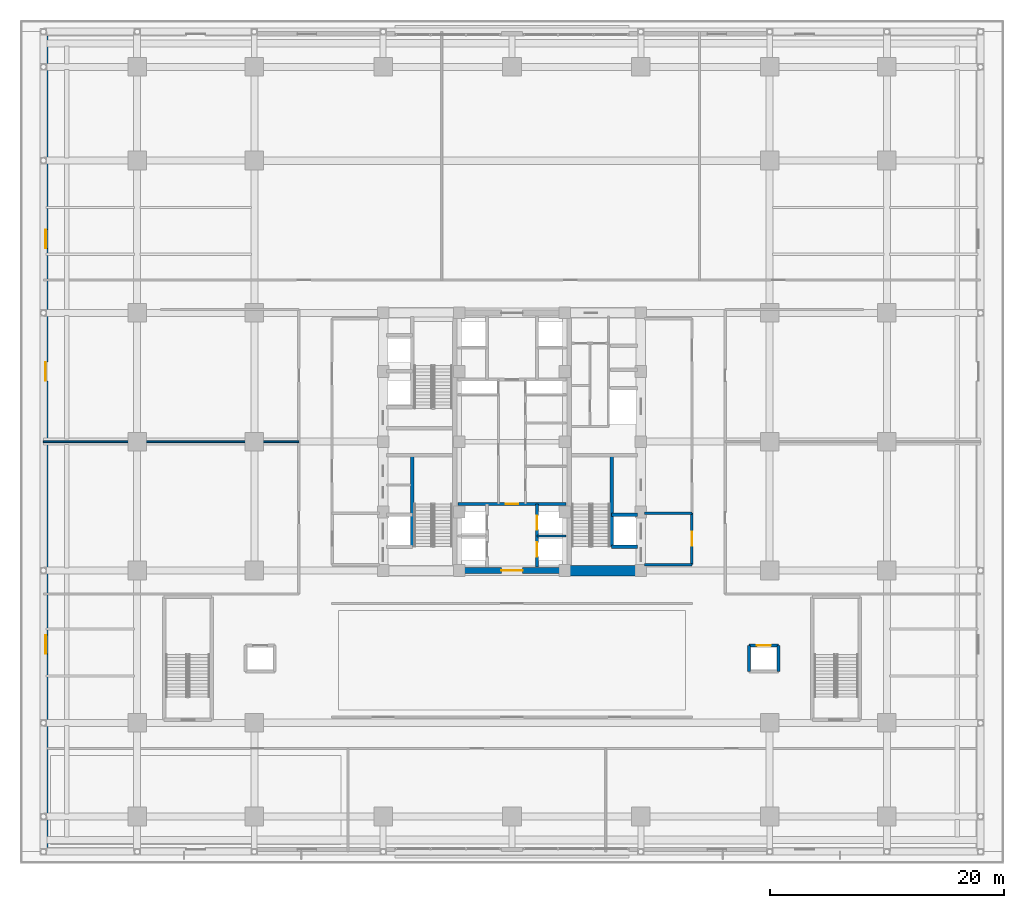
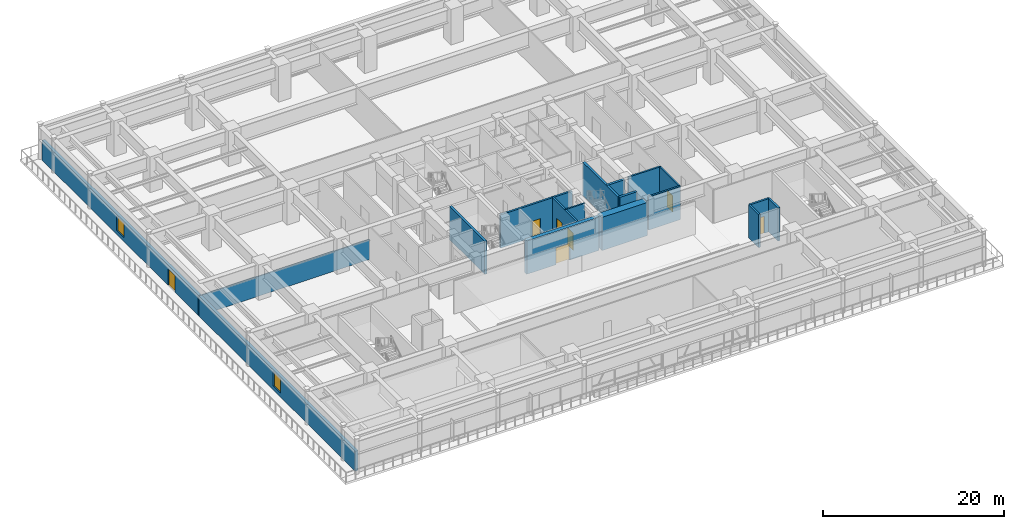
# One storey, part 26 of 38: 17 walls, 7 doors, 2 windows, 9 openings.
"""IFC4 building model written with IfcOpenShell, lengths in metres."""

from ifc_helpers import new_model, si_unit, direction, frame, frame_2d, origin, place, context, subcontext, project, spatial, rectangle, extrude, source, transform, mapped, material, layer, layer_set, type_object, element, fill, save


model = new_model("IFC4")

# Units and contexts
model_context = context("Model", 3, precision=1e-05, world=origin(), true_north=direction((0.0, 1.0)))
body_context = subcontext(model_context, "Body", "Model", "MODEL_VIEW")
ifc_project = project(units=[si_unit("LENGTHUNIT", "METRE"), si_unit("AREAUNIT", "SQUARE_METRE"), si_unit("VOLUMEUNIT", "CUBIC_METRE"), si_unit("PLANEANGLEUNIT", "RADIAN"), si_unit("MASSUNIT", "GRAM", prefix="KILO")], contexts=[model_context])

# Site, building, storey
site_placement = place(None, origin())
site = spatial("IfcSite", under=ifc_project, at=site_placement, CompositionType="ELEMENT")
building_placement = place(site_placement, origin())
building = spatial("IfcBuilding", under=site, at=building_placement, Name="Khorayat Bourse Tower", CompositionType="ELEMENT")
storey_placement = place(building_placement, frame((0.0, 0.0, 17.39990234375)))
storey = spatial("IfcBuildingStorey", under=building, at=storey_placement, Name="L03", CompositionType="ELEMENT", Elevation=17.39990234375)

# Wall
ifc_material_1 = material(Name="Concrete C72/90", Category="concrete")
ifc_layer_1 = layer(ifc_material_1, 0.89990234375)
ifc_layer_set_1 = layer_set([ifc_layer_1], Name="Concrete C72/90")
wall_type_1 = type_object("IfcWallType", Name="WAL-CORE-900", PredefinedType="SHEAR", material=ifc_layer_set_1)
shared_shape_1 = source(origin(), body_context, "Body", "SweptSolid", [
    extrude(rectangle(XDim=5.849853515625, YDim=0.89990234375, at=frame_2d((2.9248046875, 0.0))), origin(), (0.0, 0.0, 1.0), 4.47998046875),
])
wall_1_placement = place(storey_placement, frame((4.85009765625, -11.0, 0.0), z_axis=(0.0, 0.0, 1.0), x_axis=(1.0, 0.0, 0.0)))
element("IfcWall", 1, at=wall_1_placement, inside=storey, type_object=wall_type_1, Name="L03 Core Shear Wall PIER-ES", PredefinedType="SHEAR", context=body_context, shape_type="MappedRepresentation", body=[
    mapped(shared_shape_1, transform((0.0, 0.0, 0.0), scale=1.0)),
])

# Wall, opening, door
ifc_material_2 = material(Name="Concrete C52/65", Category="concrete")
ifc_layer_2 = layer(ifc_material_2, 0.5)
ifc_layer_set_2 = layer_set([ifc_layer_2], Name="Concrete C52/65")
wall_type_2 = type_object("IfcWallType", Name="WAL-CORE-500", PredefinedType="SHEAR", material=ifc_layer_set_2)
shared_shape_2 = source(origin(), body_context, "Body", "SweptSolid", [
    extrude(rectangle(XDim=9.2001953125, YDim=0.5, at=frame_2d((4.60009765625, 0.0))), origin(), (0.0, 0.0, 1.0), 4.47998046875),
])
wall_2_placement = place(storey_placement, frame((-4.60009765625, -11.0, 0.0), z_axis=(0.0, 0.0, 1.0), x_axis=(1.0, 0.0, 0.0)))
wall_2 = element("IfcWall", 2, at=wall_2_placement, inside=storey, type_object=wall_type_2, Name="L03 Core Shear Wall CORE-S", PredefinedType="SHEAR", context=body_context, shape_type="MappedRepresentation", body=[
    mapped(shared_shape_2, transform((0.0, 0.0, 0.0), scale=1.0)),
])
shared_shape_3 = source(origin(), body_context, "Body", "SweptSolid", [
    extrude(rectangle(XDim=1.800048828125, YDim=2.25, at=frame_2d((0.89990234375, 1.125))), frame((0.0, 0.260009765625, 0.0), z_axis=(0.0, -1.0, 0.0), x_axis=(1.0, 0.0, 0.0)), (0.0, 0.0, 1.0), 0.52001953125),
])
opening_1_placement = place(wall_2_placement, frame((3.699951171875, 0.0, 0.0)))
opening_1 = element("IfcOpeningElement", 3, at=opening_1_placement, cuts=wall_2, Name="Opening DI-03", PredefinedType="OPENING", context=body_context, shape_type="MappedRepresentation", body=[
    mapped(shared_shape_3, transform((0.0, 0.0, 0.0), scale=1.0)),
])
ifc_material_3 = material(Name="Fire-rated hardwood vision-panel double leaf", Category="wood")
door_type_1 = type_object("IfcDoorType", Name="DR-INT-CORR-1800", OperationType="NOTDEFINED", PredefinedType="DOOR", material=ifc_material_3)
shared_shape_4 = source(origin(), body_context, "Body", "SweptSolid", [
    extrude(rectangle(XDim=1.800048828125, YDim=2.25, at=frame_2d((0.89990234375, 1.125))), frame((0.0, 0.02490234375, 0.0), z_axis=(0.0, -1.0, 0.0), x_axis=(1.0, 0.0, 0.0)), (0.0, 0.0, 1.0), 0.050048828125),
])
door_1_placement = place(opening_1_placement, origin())
door_1 = element("IfcDoor", 4, at=door_1_placement, inside=storey, type_object=door_type_1, Name="L03 Low-Rise Lift Lobby Door", OperationType="SINGLE_SWING_LEFT", OverallHeight=2.25, OverallWidth=1.800048828125, PredefinedType="DOOR", context=body_context, shape_type="MappedRepresentation", body=[
    mapped(shared_shape_4, transform((0.0, 0.0, 0.0), scale=1.0)),
])
fill(opening_1, door_1)

# Wall, openings, door, windows
ifc_material_4 = material(Name="Precast concrete C45/55", Category="concrete")
ifc_layer_3 = layer(ifc_material_4, 0.3798828125)
ifc_layer_set_3 = layer_set([ifc_layer_3], Name="Precast concrete C45/55")
wall_type_3 = type_object("IfcWallType", Name="WAL-EXT-STONE-380", PredefinedType="STANDARD", material=ifc_layer_set_3)
shared_shape_5 = source(origin(), body_context, "Body", "SweptSolid", [
    extrude(rectangle(XDim=69.240234375, YDim=0.3798828125, at=frame_2d((34.6201171875, 0.0))), origin(), (0.0, 0.0, 1.0), 2.68017578125),
])
wall_3_placement = place(storey_placement, frame((-39.81005859375, -34.6201171875, 0.0), z_axis=(0.0, 0.0, 1.0), x_axis=(0.0, 1.0, 0.0)))
wall_3 = element("IfcWall", 5, at=wall_3_placement, inside=storey, type_object=wall_type_3, Name="L03 Exterior Limestone Wall WAL-L03-EXT-WF", PredefinedType="STANDARD", context=body_context, shape_type="MappedRepresentation", body=[
    mapped(shared_shape_5, transform((0.0, 0.0, 0.0), scale=1.0)),
])
shared_shape_6 = source(origin(), body_context, "Body", "SweptSolid", [
    extrude(rectangle(XDim=1.60009765625, YDim=2.25, at=frame_2d((0.800048828125, 1.125))), frame((0.0, 0.199951171875, 0.0), z_axis=(0.0, -1.0, 0.0), x_axis=(1.0, 0.0, 0.0)), (0.0, 0.0, 1.0), 0.39990234375),
])
opening_2_placement = place(wall_3_placement, frame((39.820068359375, 0.0, 0.0)))
opening_2 = element("IfcOpeningElement", 6, at=opening_2_placement, cuts=wall_3, Name="Opening DE-04", PredefinedType="OPENING", context=body_context, shape_type="MappedRepresentation", body=[
    mapped(shared_shape_6, transform((0.0, 0.0, 0.0), scale=1.0)),
])
shared_shape_7 = source(origin(), body_context, "Body", "SweptSolid", [
    extrude(rectangle(XDim=1.60009765625, YDim=1.9599609375, at=frame_2d((0.800048828125, 0.97998046875))), frame((0.0, 0.199951171875, 0.0), z_axis=(0.0, -1.0, 0.0), x_axis=(1.0, 0.0, 0.0)), (0.0, 0.0, 1.0), 0.39990234375),
])
opening_3_placement = place(wall_3_placement, frame((16.510009765625, 0.0, 0.5)))
opening_3 = element("IfcOpeningElement", 7, at=opening_3_placement, cuts=wall_3, Name="Opening WN-02", PredefinedType="OPENING", context=body_context, shape_type="MappedRepresentation", body=[
    mapped(shared_shape_7, transform((0.0, 0.0, 0.0), scale=1.0)),
])
opening_4_placement = place(wall_3_placement, frame((51.1298828125, 0.0, 0.5)))
opening_4 = element("IfcOpeningElement", 8, at=opening_4_placement, cuts=wall_3, Name="Opening WN-02", PredefinedType="OPENING", context=body_context, shape_type="MappedRepresentation", body=[
    mapped(shared_shape_7, transform((0.0, 0.0, 0.0), scale=1.0)),
])
ifc_material_5 = material(Name="Thermally broken aluminium terrace double door", Category="aluminium")
door_type_2 = type_object("IfcDoorType", Name="DR-EXT-TERR-1600", OperationType="NOTDEFINED", PredefinedType="DOOR", material=ifc_material_5)
shared_shape_8 = source(origin(), body_context, "Body", "SweptSolid", [
    extrude(rectangle(XDim=1.60009765625, YDim=2.25, at=frame_2d((0.800048828125, 1.125))), frame((0.0, 0.02490234375, 0.0), z_axis=(0.0, -1.0, 0.0), x_axis=(1.0, 0.0, 0.0)), (0.0, 0.0, 1.0), 0.050048828125),
])
door_2_placement = place(opening_2_placement, origin())
door_2 = element("IfcDoor", 9, at=door_2_placement, inside=storey, type_object=door_type_2, Name="L03 West Garden Terrace Door", OperationType="DOUBLE_DOOR_SINGLE_SWING", OverallHeight=2.25, OverallWidth=1.60009765625, PredefinedType="DOOR", context=body_context, shape_type="MappedRepresentation", body=[
    mapped(shared_shape_8, transform((0.0, 0.0, 0.0), scale=1.0)),
])
fill(opening_2, door_2)
ifc_material_6 = material(Name="Low-E solar-control laminated double glazing", Category="glass")
window_type = type_object("IfcWindowType", Name="WIN-POD-1600x2200", PartitioningType="SINGLE_PANEL", PredefinedType="WINDOW", material=ifc_material_6)
shared_shape_9 = source(origin(), body_context, "Body", "SweptSolid", [
    extrude(rectangle(XDim=1.60009765625, YDim=1.9599609375, at=frame_2d((0.800048828125, 0.97998046875))), frame((0.0, 0.030029296875, 0.0), z_axis=(0.0, -1.0, 0.0), x_axis=(1.0, 0.0, 0.0)), (0.0, 0.0, 1.0), 0.06005859375),
])
window_1_placement = place(opening_3_placement, origin())
window_1 = element("IfcWindow", 10, at=window_1_placement, inside=storey, type_object=window_type, Name="L03 Facade Window 1", OverallHeight=1.9599609375, OverallWidth=1.60009765625, PartitioningType="SINGLE_PANEL", PredefinedType="WINDOW", context=body_context, shape_type="MappedRepresentation", body=[
    mapped(shared_shape_9, transform((0.0, 0.0, 0.0), scale=1.0)),
])
fill(opening_3, window_1)
window_2_placement = place(opening_4_placement, origin())
window_2 = element("IfcWindow", 11, at=window_2_placement, inside=storey, type_object=window_type, Name="L03 Facade Window 3", OverallHeight=1.9599609375, OverallWidth=1.60009765625, PartitioningType="SINGLE_PANEL", PredefinedType="WINDOW", context=body_context, shape_type="MappedRepresentation", body=[
    mapped(shared_shape_9, transform((0.0, 0.0, 0.0), scale=1.0)),
])
fill(opening_4, window_2)

# Walls
ifc_material_7 = material(Name="Concrete C50/60", Category="concrete")
ifc_layer_4 = layer(ifc_material_7, 0.300048828125)
ifc_layer_set_4 = layer_set([ifc_layer_4], Name="Concrete C50/60")
wall_type_4 = type_object("IfcWallType", Name="WAL-SHAFT-300", PredefinedType="SHEAR", material=ifc_layer_set_4)
shared_shape_10 = source(origin(), body_context, "Body", "SweptSolid", [
    extrude(rectangle(XDim=7.800048828125, YDim=0.300048828125, at=frame_2d((3.89990234375, 0.0))), origin(), (0.0, 0.0, 1.0), 4.47998046875),
])
for number, where, z_axis, x_axis, name in (
    (12, (-8.5, -8.949951171875, 0.0), (0.0, 0.0, 1.0), (0.0, 1.0, 0.0), "L03 Partition WAL-L03-WPIER-SP"),
    (13, (8.5, -8.949951171875, 0.0), (0.0, 0.0, 1.0), (0.0, 1.0, 0.0), "L03 Partition WAL-L03-EPIER-SP"),
):
    element("IfcWall", number, at=place(storey_placement, frame(where, z_axis=z_axis, x_axis=x_axis)), inside=storey, type_object=wall_type_4, Name=name, PredefinedType="SHEAR", context=body_context, shape_type="MappedRepresentation", body=[
        mapped(shared_shape_10, transform((0.0, 0.0, 0.0), scale=1.0)),
    ])
shared_shape_11 = source(origin(), body_context, "Body", "SweptSolid", [
    extrude(rectangle(XDim=2.199951171875, YDim=0.300048828125, at=frame_2d((1.10009765625, 0.0))), origin(), (0.0, 0.0, 1.0), 4.47998046875),
])
for number, where, z_axis, x_axis, name in (
    (14, (8.5, -8.949951171875, 0.0), (0.0, 0.0, 1.0), (1.0, 0.0, 0.0), "L03 Partition WAL-L03-EPIER-FF2S"),
    (15, (8.5, -6.25, 0.0), (0.0, 0.0, 1.0), (1.0, 0.0, 0.0), "L03 Partition WAL-L03-EPIER-FF2N"),
):
    element("IfcWall", number, at=place(storey_placement, frame(where, z_axis=z_axis, x_axis=x_axis)), inside=storey, type_object=wall_type_4, Name=name, PredefinedType="SHEAR", context=body_context, shape_type="MappedRepresentation", body=[
        mapped(shared_shape_11, transform((0.0, 0.0, 0.0), scale=1.0)),
    ])
ifc_material_8 = material(Name="Aerated concrete blockwork", Category="masonry")
ifc_layer_5 = layer(ifc_material_8, 0.219970703125)
ifc_layer_set_5 = layer_set([ifc_layer_5], Name="Aerated concrete blockwork")
wall_type_5 = type_object("IfcWallType", Name="WAL-PART-FF-220", PredefinedType="PARTITIONING", material=ifc_layer_set_5)
shared_shape_12 = source(origin(), body_context, "Body", "SweptSolid", [
    extrude(rectangle(XDim=4.050048828125, YDim=0.219970703125, at=frame_2d((2.02490234375, 0.0))), origin(), (0.0, 0.0, 1.0), 4.47998046875),
])
for number, where, z_axis, x_axis, name in (
    (16, (11.300048828125, -10.5, 0.0), (0.0, 0.0, 1.0), (1.0, 0.0, 0.0), "L03 Partition WAL-L03-FFLE-S"),
    (17, (11.300048828125, -6.10009765625, 0.0), (0.0, 0.0, 1.0), (1.0, 0.0, 0.0), "L03 Partition WAL-L03-FFLE-N"),
):
    element("IfcWall", number, at=place(storey_placement, frame(where, z_axis=z_axis, x_axis=x_axis)), inside=storey, type_object=wall_type_5, Name=name, PredefinedType="PARTITIONING", context=body_context, shape_type="MappedRepresentation", body=[
        mapped(shared_shape_12, transform((0.0, 0.0, 0.0), scale=1.0)),
    ])

# Wall, opening, door
shared_shape_13 = source(origin(), body_context, "Body", "SweptSolid", [
    extrude(rectangle(XDim=4.39990234375, YDim=0.219970703125, at=frame_2d((2.199951171875, 0.0))), origin(), (0.0, 0.0, 1.0), 4.47998046875),
])
wall_4_placement = place(storey_placement, frame((15.35009765625, -10.5, 0.0), z_axis=(0.0, 0.0, 1.0), x_axis=(0.0, 1.0, 0.0)))
wall_4 = element("IfcWall", 18, at=wall_4_placement, inside=storey, type_object=wall_type_5, Name="L03 Partition WAL-L03-FFLE-E", PredefinedType="PARTITIONING", context=body_context, shape_type="MappedRepresentation", body=[
    mapped(shared_shape_13, transform((0.0, 0.0, 0.0), scale=1.0)),
])
shared_shape_14 = source(origin(), body_context, "Body", "SweptSolid", [
    extrude(rectangle(XDim=1.199951171875, YDim=2.199951171875, at=frame_2d((0.60009765625, 1.10009765625))), frame((0.0, 0.119873046875, 0.0), z_axis=(0.0, -1.0, 0.0), x_axis=(1.0, 0.0, 0.0)), (0.0, 0.0, 1.0), 0.239990234375),
])
opening_5_placement = place(wall_4_placement, frame((1.60009765625, 0.0, 0.0)))
opening_5 = element("IfcOpeningElement", 19, at=opening_5_placement, cuts=wall_4, Name="Opening DI-02", PredefinedType="OPENING", context=body_context, shape_type="MappedRepresentation", body=[
    mapped(shared_shape_14, transform((0.0, 0.0, 0.0), scale=1.0)),
])
ifc_material_9 = material(Name="Fire-rated steel double-seal leaf", Category="steel")
door_type_3 = type_object("IfcDoorType", Name="DR-INT-FFLOBBY-1200", OperationType="NOTDEFINED", PredefinedType="DOOR", material=ifc_material_9)
shared_shape_15 = source(origin(), body_context, "Body", "SweptSolid", [
    extrude(rectangle(XDim=1.199951171875, YDim=2.199951171875, at=frame_2d((0.60009765625, 1.10009765625))), frame((0.0, 0.02490234375, 0.0), z_axis=(0.0, -1.0, 0.0), x_axis=(1.0, 0.0, 0.0)), (0.0, 0.0, 1.0), 0.050048828125),
])
door_3_placement = place(opening_5_placement, origin())
door_3 = element("IfcDoor", 20, at=door_3_placement, inside=storey, type_object=door_type_3, Name="L03 East Firefighting Lobby Door", OperationType="SINGLE_SWING_RIGHT", OverallHeight=2.199951171875, OverallWidth=1.199951171875, PredefinedType="DOOR", context=body_context, shape_type="MappedRepresentation", body=[
    mapped(shared_shape_15, transform((0.0, 0.0, 0.0), scale=1.0)),
])
fill(opening_5, door_3)

# Wall, openings, doors
shared_shape_16 = source(origin(), body_context, "Body", "SweptSolid", [
    extrude(rectangle(XDim=5.39990234375, YDim=0.25, at=frame_2d((2.699951171875, 0.0))), origin(), (0.0, 0.0, 1.0), 4.47998046875),
])
wall_5_placement = place(storey_placement, frame((2.14990234375, -10.699951171875, 0.0), z_axis=(0.0, 0.0, 1.0), x_axis=(0.0, 1.0, 0.0)))
wall_5 = element("IfcWall", 21, at=wall_5_placement, inside=storey, type_object=wall_type_4, Name="L03 Partition WAL-L03-B1-E", PredefinedType="SHEAR", context=body_context, shape_type="MappedRepresentation", body=[
    mapped(shared_shape_16, transform((0.0, 0.0, 0.0), scale=1.0)),
])
shared_shape_17 = source(origin(), body_context, "Body", "SweptSolid", [
    extrude(rectangle(XDim=1.199951171875, YDim=2.300048828125, at=frame_2d((0.60009765625, 1.14990234375))), frame((0.0, 0.135009765625, 0.0), z_axis=(0.0, -1.0, 0.0), x_axis=(1.0, 0.0, 0.0)), (0.0, 0.0, 1.0), 0.27001953125),
])
opening_6_placement = place(wall_5_placement, frame((0.89990234375, 0.0, 0.0)))
opening_6 = element("IfcOpeningElement", 22, at=opening_6_placement, cuts=wall_5, Name="Opening LD-01", PredefinedType="OPENING", context=body_context, shape_type="MappedRepresentation", body=[
    mapped(shared_shape_17, transform((0.0, 0.0, 0.0), scale=1.0)),
])
opening_7_placement = place(wall_5_placement, frame((3.199951171875, 0.0, 0.0)))
opening_7 = element("IfcOpeningElement", 23, at=opening_7_placement, cuts=wall_5, Name="Opening LD-01", PredefinedType="OPENING", context=body_context, shape_type="MappedRepresentation", body=[
    mapped(shared_shape_17, transform((0.0, 0.0, 0.0), scale=1.0)),
])
ifc_material_10 = material(Name="Brushed bronze stainless-steel sliding door", Category="steel")
door_type_4 = type_object("IfcDoorType", Name="DR-LIFT-PASS-1200", OperationType="NOTDEFINED", PredefinedType="DOOR", material=ifc_material_10)
shared_shape_18 = source(origin(), body_context, "Body", "SweptSolid", [
    extrude(rectangle(XDim=1.199951171875, YDim=2.300048828125, at=frame_2d((0.60009765625, 1.14990234375))), frame((0.0, 0.02490234375, 0.0), z_axis=(0.0, -1.0, 0.0), x_axis=(1.0, 0.0, 0.0)), (0.0, 0.0, 1.0), 0.050048828125),
])
door_4_placement = place(opening_6_placement, origin())
door_4 = element("IfcDoor", 24, at=door_4_placement, inside=storey, type_object=door_type_4, Name="L03 Lift PL-L2 Sliding Landing Door", OperationType="SLIDING_TO_LEFT", OverallHeight=2.300048828125, OverallWidth=1.199951171875, PredefinedType="DOOR", context=body_context, shape_type="MappedRepresentation", body=[
    mapped(shared_shape_18, transform((0.0, 0.0, 0.0), scale=1.0)),
])
fill(opening_6, door_4)
door_5_placement = place(opening_7_placement, origin())
door_5 = element("IfcDoor", 25, at=door_5_placement, inside=storey, type_object=door_type_4, Name="L03 Lift PL-L4 Sliding Landing Door", OperationType="SLIDING_TO_LEFT", OverallHeight=2.300048828125, OverallWidth=1.199951171875, PredefinedType="DOOR", context=body_context, shape_type="MappedRepresentation", body=[
    mapped(shared_shape_18, transform((0.0, 0.0, 0.0), scale=1.0)),
])
fill(opening_7, door_5)

# Wall
shared_shape_19 = source(origin(), body_context, "Body", "SweptSolid", [
    extrude(rectangle(XDim=2.4501953125, YDim=0.199951171875, at=frame_2d((1.22509765625, 0.0))), origin(), (0.0, 0.0, 1.0), 4.47998046875),
])
wall_6_placement = place(storey_placement, frame((2.14990234375, -8.050048828125, 0.0), z_axis=(0.0, 0.0, 1.0), x_axis=(1.0, 0.0, 0.0)))
element("IfcWall", 26, at=wall_6_placement, inside=storey, type_object=wall_type_4, Name="L03 Partition WAL-L03-B1-ME", PredefinedType="SHEAR", context=body_context, shape_type="MappedRepresentation", body=[
    mapped(shared_shape_19, transform((0.0, 0.0, 0.0), scale=1.0)),
])

# Wall, opening, door
shared_shape_20 = source(origin(), body_context, "Body", "SweptSolid", [
    extrude(rectangle(XDim=9.2001953125, YDim=0.25, at=frame_2d((4.60009765625, 0.0))), origin(), (0.0, 0.0, 1.0), 4.47998046875),
])
wall_7_placement = place(storey_placement, frame((-4.60009765625, -5.300048828125, 0.0), z_axis=(0.0, 0.0, 1.0), x_axis=(1.0, 0.0, 0.0)))
wall_7 = element("IfcWall", 27, at=wall_7_placement, inside=storey, type_object=wall_type_4, Name="L03 Partition WAL-L03-B1-N", PredefinedType="SHEAR", context=body_context, shape_type="MappedRepresentation", body=[
    mapped(shared_shape_20, transform((0.0, 0.0, 0.0), scale=1.0)),
])
shared_shape_21 = source(origin(), body_context, "Body", "SweptSolid", [
    extrude(rectangle(XDim=1.050048828125, YDim=2.199951171875, at=frame_2d((0.52490234375, 1.10009765625))), frame((0.0, 0.135009765625, 0.0), z_axis=(0.0, -1.0, 0.0), x_axis=(1.0, 0.0, 0.0)), (0.0, 0.0, 1.0), 0.27001953125),
])
opening_8_placement = place(wall_7_placement, frame((4.074951171875, 0.0, 0.0)))
opening_8 = element("IfcOpeningElement", 28, at=opening_8_placement, cuts=wall_7, Name="Opening DI-04", PredefinedType="OPENING", context=body_context, shape_type="MappedRepresentation", body=[
    mapped(shared_shape_21, transform((0.0, 0.0, 0.0), scale=1.0)),
])
ifc_material_11 = material(Name="Fire-rated oak veneer suite entrance door")
door_type_5 = type_object("IfcDoorType", Name="DR-INT-SUITE-1050", OperationType="NOTDEFINED", PredefinedType="DOOR", material=ifc_material_11)
shared_shape_22 = source(origin(), body_context, "Body", "SweptSolid", [
    extrude(rectangle(XDim=1.050048828125, YDim=2.199951171875, at=frame_2d((0.52490234375, 1.10009765625))), frame((0.0, 0.02490234375, 0.0), z_axis=(0.0, -1.0, 0.0), x_axis=(1.0, 0.0, 0.0)), (0.0, 0.0, 1.0), 0.050048828125),
])
door_6_placement = place(opening_8_placement, origin())
door_6 = element("IfcDoor", 29, at=door_6_placement, inside=storey, type_object=door_type_5, Name="L03 Core Spine South Door", OperationType="SINGLE_SWING_LEFT", OverallHeight=2.199951171875, OverallWidth=1.050048828125, PredefinedType="DOOR", context=body_context, shape_type="MappedRepresentation", body=[
    mapped(shared_shape_22, transform((0.0, 0.0, 0.0), scale=1.0)),
])
fill(opening_8, door_6)

shared_shape_23 = source(origin(), body_context, "Body", "SweptSolid", [
    extrude(rectangle(XDim=2.5, YDim=0.25, at=frame_2d((1.25, 0.0))), origin(), (0.0, 0.0, 1.0), 4.47998046875),
])
wall_8_placement = place(storey_placement, frame((20.25, -17.39990234375, 0.0), z_axis=(0.0, 0.0, 1.0), x_axis=(1.0, 0.0, 0.0)))
wall_8 = element("IfcWall", 30, at=wall_8_placement, inside=storey, type_object=wall_type_4, Name="L03 Partition WAL-L03-PLP2-N", PredefinedType="SHEAR", context=body_context, shape_type="MappedRepresentation", body=[
    mapped(shared_shape_23, transform((0.0, 0.0, 0.0), scale=1.0)),
])
opening_9_placement = place(wall_8_placement, frame((0.64990234375, 0.0, 0.0)))
opening_9 = element("IfcOpeningElement", 31, at=opening_9_placement, cuts=wall_8, Name="Opening LD-01", PredefinedType="OPENING", context=body_context, shape_type="MappedRepresentation", body=[
    mapped(shared_shape_17, transform((0.0, 0.0, 0.0), scale=1.0)),
])
door_7_placement = place(opening_9_placement, origin())
door_7 = element("IfcDoor", 32, at=door_7_placement, inside=storey, type_object=door_type_4, Name="L03 Lift PL-P2 Sliding Landing Door", OperationType="SLIDING_TO_LEFT", OverallHeight=2.300048828125, OverallWidth=1.199951171875, PredefinedType="DOOR", context=body_context, shape_type="MappedRepresentation", body=[
    mapped(shared_shape_18, transform((0.0, 0.0, 0.0), scale=1.0)),
])
fill(opening_9, door_7)

# Walls
shared_shape_24 = source(origin(), body_context, "Body", "SweptSolid", [
    extrude(rectangle(XDim=2.2001953125, YDim=0.25, at=frame_2d((1.10009765625, 0.0))), origin(), (0.0, 0.0, 1.0), 4.47998046875),
])
for number, where, z_axis, x_axis, name in (
    (33, (20.25, -19.60009765625, 0.0), (0.0, 0.0, 1.0), (0.0, 1.0, 0.0), "L03 Partition WAL-L03-PLP2-W"),
    (34, (22.75, -19.60009765625, 0.0), (0.0, 0.0, 1.0), (0.0, 1.0, 0.0), "L03 Partition WAL-L03-PLP2-E"),
):
    element("IfcWall", number, at=place(storey_placement, frame(where, z_axis=z_axis, x_axis=x_axis)), inside=storey, type_object=wall_type_4, Name=name, PredefinedType="SHEAR", context=body_context, shape_type="MappedRepresentation", body=[
        mapped(shared_shape_24, transform((0.0, 0.0, 0.0), scale=1.0)),
    ])
ifc_material_12 = material(Name="Gypsum plasterboard twin-frame partition")
ifc_layer_6 = layer(ifc_material_12, 0.14990234375)
ifc_layer_set_6 = layer_set([ifc_layer_6], Name="Gypsum plasterboard twin-frame partition")
wall_type_6 = type_object("IfcWallType", Name="WAL-PART-SUITE-150", PredefinedType="PARTITIONING", material=ifc_layer_set_6)
shared_shape_25 = source(origin(), body_context, "Body", "SweptSolid", [
    extrude(rectangle(XDim=21.800048828125, YDim=0.14990234375, at=frame_2d((10.89990234375, 0.0))), origin(), (0.0, 0.0, 1.0), 2.68017578125),
])
wall_9_placement = place(storey_placement, frame((-40.0, 0.0, 0.0), z_axis=(0.0, 0.0, 1.0), x_axis=(1.0, 0.0, 0.0)))
element("IfcWall", 35, at=wall_9_placement, inside=storey, type_object=wall_type_6, Name="L03 Partition WAL-L03-PW-DIV-1", PredefinedType="PARTITIONING", context=body_context, shape_type="MappedRepresentation", body=[
    mapped(shared_shape_25, transform((0.0, 0.0, 0.0), scale=1.0)),
])

save(model, "model.ifc")
